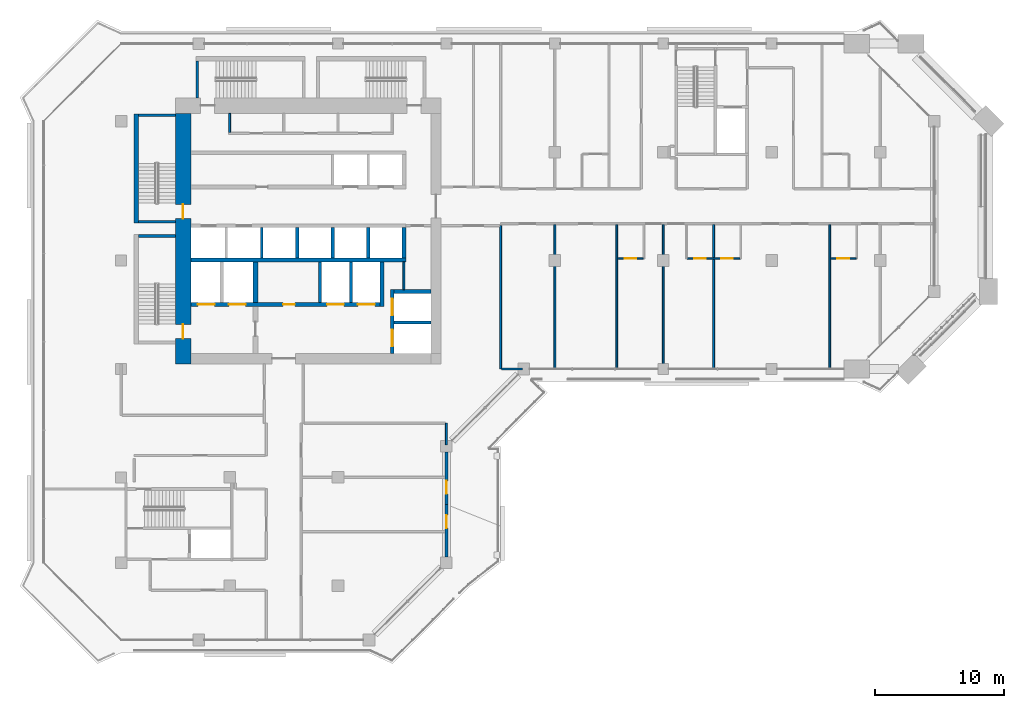
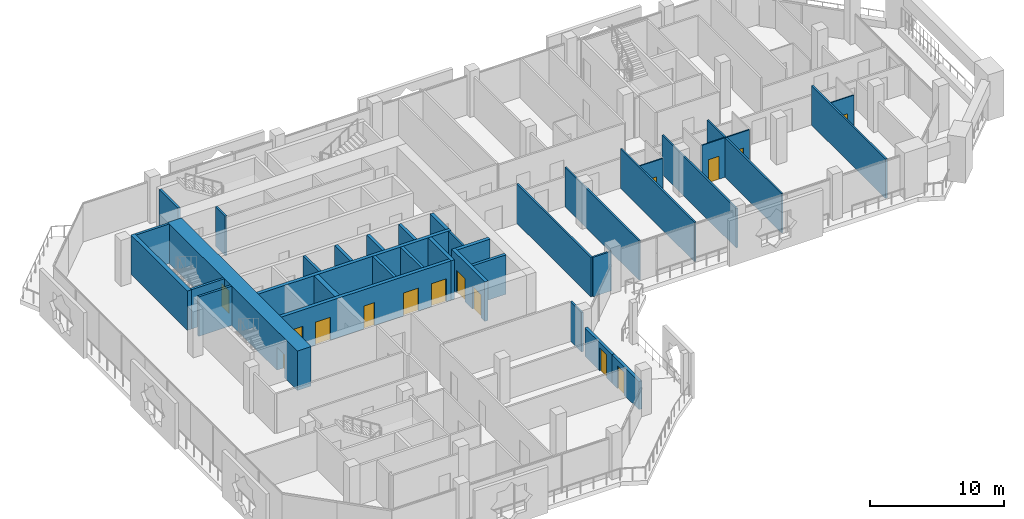
# One storey, part 11 of 21: 35 walls, 15 doors, 15 openings.
"""IFC4 building model written with IfcOpenShell, lengths in metres."""

import ifcopenshell
import ifcopenshell.guid

model = None  # the IFC model being written
_history = None  # IfcOwnerHistory: only IFC2X3 demands one
_inside = {}  # id of a spatial element -> (the spatial element, [elements in it])
_under = {}  # id of a project, library or spatial element -> (it, [spatial elements below it])
_declared = {}  # id of a project -> (the project, [libraries it declares])
_typed = {}  # id of a type object -> (the type object, [elements of that type])
_made_of = {}  # id of a material, layer set ... -> (it, [elements and type objects made of it])


def new_model(schema):
    """Start an empty IFC model of exactly this schema.

    Asked for "IFC4X3", IfcOpenShell would pick the latest addendum, in which some entities
    have other attributes; the version numbers below select the first issue.
    IFC2X3 requires an IfcOwnerHistory on every rooted entity: one is made here for all.
    """
    global model, _history
    if schema == "IFC4X3":
        model = ifcopenshell.file(schema_version=(4, 3, 0, 0))
    else:
        model = ifcopenshell.file(schema=schema)
    _inside.clear()
    _under.clear()
    _declared.clear()
    _typed.clear()
    _made_of.clear()
    _history = None
    if model.schema == "IFC2X3":
        org = make("IfcOrganization", Name="unknown")
        user = make(
            "IfcPersonAndOrganization",
            ThePerson=make("IfcPerson", FamilyName="unknown"),
            TheOrganization=org,
        )
        app = make(
            "IfcApplication",
            ApplicationDeveloper=org,
            Version="unknown",
            ApplicationFullName="unknown",
            ApplicationIdentifier="unknown",
        )
        _history = make(
            "IfcOwnerHistory",
            OwningUser=user,
            OwningApplication=app,
            ChangeAction="ADDED",
            CreationDate=0,
        )
    return model


def make(cls, **values):
    """One entity of the class cls with the attributes given. An attribute that is None is left unset."""
    return model.create_entity(
        cls, **{name: value for name, value in values.items() if value is not None}
    )


def rooted(cls, **values):
    """An entity with a GlobalId (a new one), such as an element, a storey or a relation."""
    return make(cls, GlobalId=ifcopenshell.guid.new(), OwnerHistory=_history, **values)


def si_unit(unit_type, name, prefix=None):
    """IfcSIUnit, for example si_unit("LENGTHUNIT", "METRE", prefix="MILLI")."""
    return make("IfcSIUnit", UnitType=unit_type, Prefix=prefix, Name=name)


def assignment(units):
    """IfcUnitAssignment: the units of a project."""
    return None if units is None else make("IfcUnitAssignment", Units=units)


def point(xyz):
    """IfcCartesianPoint."""
    return None if xyz is None else make("IfcCartesianPoint", Coordinates=xyz)


def direction(xyz):
    """IfcDirection."""
    return None if xyz is None else make("IfcDirection", DirectionRatios=xyz)


def frame(location, z_axis=None, x_axis=None):
    """IfcAxis2Placement3D, a coordinate frame: its origin and axes. An axis left out is left unset."""
    return make(
        "IfcAxis2Placement3D",
        Location=point(location),
        Axis=direction(z_axis),
        RefDirection=direction(x_axis),
    )


def frame_2d(location, x_axis=None):
    """IfcAxis2Placement2D, a coordinate frame in the plane: its origin and x axis."""
    return make(
        "IfcAxis2Placement2D", Location=point(location), RefDirection=direction(x_axis)
    )


def origin():
    """The frame at (0, 0, 0) with its axes left unset."""
    return frame((0.0, 0.0, 0.0))


def place(relative_to, where):
    """IfcLocalPlacement: puts the frame where relative to a parent placement (None: the world)."""
    return make(
        "IfcLocalPlacement", PlacementRelTo=relative_to, RelativePlacement=where
    )


def context(
    kind, dimensions, precision=None, world=None, true_north=None, identifier=None
):
    """IfcGeometricRepresentationContext, for example the 3D "Model" context."""
    return make(
        "IfcGeometricRepresentationContext",
        ContextIdentifier=identifier,
        ContextType=kind,
        CoordinateSpaceDimension=dimensions,
        Precision=precision,
        WorldCoordinateSystem=world,
        TrueNorth=true_north,
    )


def subcontext(parent, identifier, kind, view, scale=None):
    """IfcGeometricRepresentationSubContext, for example "Body" below "Model"."""
    return make(
        "IfcGeometricRepresentationSubContext",
        ContextIdentifier=identifier,
        ContextType=kind,
        ParentContext=parent,
        TargetScale=scale,
        TargetView=view,
    )


def project(units=None, contexts=None):
    """IfcProject with its units and contexts."""
    return rooted(
        "IfcProject",
        Name="project",
        RepresentationContexts=contexts,
        UnitsInContext=assignment(units),
    )


def spatial(cls, under=None, at=None, **own):
    """A site, building, storey or space (cls), placed at a placement, below another one or the project."""
    s = rooted(cls, ObjectPlacement=at, **own)
    if under is not None:
        _under.setdefault(under.id(), (under, []))[1].append(s)
    return s


def profile(cls, at=None, kind="AREA", **sizes):
    """A parametric profile (cls). Its sizes go by their IFC names, for example OverallWidth=200.0."""
    return make(cls, ProfileType=kind, Position=at, **sizes)


def rectangle(**sizes):
    """IfcRectangleProfileDef."""
    return profile("IfcRectangleProfileDef", **sizes)


def extrude(swept, where, along, depth):
    """IfcExtrudedAreaSolid: the profile swept, set in the frame where, extruded along a direction by depth."""
    return make(
        "IfcExtrudedAreaSolid",
        SweptArea=swept,
        Position=where,
        ExtrudedDirection=direction(along),
        Depth=depth,
    )


def shape(context_of_items, identifier, shape_type, items):
    """IfcShapeRepresentation: the items that make up one representation, for example the "Body"."""
    return make(
        "IfcShapeRepresentation",
        ContextOfItems=context_of_items,
        RepresentationIdentifier=identifier,
        RepresentationType=shape_type,
        Items=items,
    )


def material(Name=None, Category=None):
    """IfcMaterial."""
    return make("IfcMaterial", Name=Name, Category=Category)


def layer(
    of_material, thickness, ventilated=None, Name=None, Category=None, Priority=None
):
    """IfcMaterialLayer: one layer of a wall or slab, of a material (None: an air gap)."""
    return make(
        "IfcMaterialLayer",
        Material=of_material,
        LayerThickness=thickness,
        IsVentilated=ventilated,
        Name=Name,
        Category=Category,
        Priority=Priority,
    )


def layer_set(layers, Name=None):
    """IfcMaterialLayerSet."""
    return make("IfcMaterialLayerSet", MaterialLayers=layers, LayerSetName=Name)


def made_of(thing, what):
    """Note that an element or type object is made of a material, layer set ...; save() writes the relation."""
    if what is not None:
        _made_of.setdefault(what.id(), (what, []))[1].append(thing)
    return thing


def type_object(cls, material=None, **own):
    """A type object (cls), such as IfcWallType, which elements share."""
    return made_of(rooted(cls, **own), material)


def element(
    cls,
    number,
    at=None,
    inside=None,
    cuts=None,
    type_object=None,
    material=None,
    context=None,
    identifier="Body",
    shape_type=None,
    held_by="IfcProductDefinitionShape",
    body=None,
    shapes=None,
    **own,
):
    """One element of the class cls, such as IfcWall. Its Tag is "e" and its number.

    at: its placement. inside: the storey or other place that contains it. cuts: it is an
    opening in that element (IfcRelVoidsElement). A single representation is given by context,
    identifier, shape_type and body (its items); several are given by shapes. held_by: the class
    of the entity that holds the representations. save() writes the other relations.
    """
    e = rooted(cls, Tag="e%d" % number, ObjectPlacement=at, **own)
    if body is not None:
        shapes = [shape(context, identifier, shape_type, body)]
    if shapes is not None:
        e.Representation = make(held_by, Representations=shapes)
    if inside is not None:
        _inside.setdefault(inside.id(), (inside, []))[1].append(e)
    if cuts is not None:
        rooted(
            "IfcRelVoidsElement", RelatingBuildingElement=cuts, RelatedOpeningElement=e
        )
    if type_object is not None:
        _typed.setdefault(type_object.id(), (type_object, []))[1].append(e)
    return made_of(e, material)


def fill(opening, filler):
    """IfcRelFillsElement: the door or window that sits in an opening."""
    return rooted(
        "IfcRelFillsElement",
        RelatingOpeningElement=opening,
        RelatedBuildingElement=filler,
    )


def aggregate(whole, parts):
    """IfcRelAggregates: a whole, such as a stair, and the parts it consists of."""
    return rooted("IfcRelAggregates", RelatingObject=whole, RelatedObjects=parts)


def save(model, path):
    """Write the relations noted so far, then the file.

    IfcRelAggregates (storeys below a building ...), IfcRelContainedInSpatialStructure (elements
    in a storey), IfcRelDefinesByType, IfcRelAssociatesMaterial and IfcRelDeclares: one each for
    every whole, place, type object, material and project.
    """
    for whole, parts in _under.values():
        aggregate(whole, parts)
    for where, things in _inside.values():
        rooted(
            "IfcRelContainedInSpatialStructure",
            RelatedElements=things,
            RelatingStructure=where,
        )
    for kind, things in _typed.values():
        rooted("IfcRelDefinesByType", RelatedObjects=things, RelatingType=kind)
    for what, things in _made_of.values():
        rooted("IfcRelAssociatesMaterial", RelatedObjects=things, RelatingMaterial=what)
    for by, libraries in _declared.values():
        rooted("IfcRelDeclares", RelatingContext=by, RelatedDefinitions=libraries)
    model.write(path)


model = new_model("IFC4")

# Units and contexts
model_context = context("Model", 3, precision=1e-05, world=origin(), true_north=direction((0.0, 1.0)))
body_context = subcontext(model_context, "Body", "Model", "MODEL_VIEW")
ifc_project = project(units=[si_unit("LENGTHUNIT", "METRE"), si_unit("AREAUNIT", "SQUARE_METRE"), si_unit("VOLUMEUNIT", "CUBIC_METRE"), si_unit("PLANEANGLEUNIT", "RADIAN"), si_unit("MASSUNIT", "GRAM", prefix="KILO")], contexts=[model_context])

# Site, building, storey
site_placement = place(None, origin())
site = spatial("IfcSite", under=ifc_project, at=site_placement, CompositionType="ELEMENT")
building_placement = place(site_placement, origin())
building = spatial("IfcBuilding", under=site, at=building_placement, Name="Kawkab Arch Medical Tower", CompositionType="ELEMENT")
storey_placement = place(building_placement, frame((0.0, 0.0, 230.60009765625)))
storey = spatial("IfcBuildingStorey", under=building, at=storey_placement, Name="L53", CompositionType="ELEMENT", Elevation=230.60009765625)

# Wall, openings, doors
ifc_material_1 = material(Name="Concrete C50/60", Category="concrete")
ifc_layer_1 = layer(ifc_material_1, 1.199951171875)
ifc_layer_set_1 = layer_set([ifc_layer_1], Name="Concrete C50/60")
wall_type_1 = type_object("IfcWallType", Name="Core ring wall 1200 C50/60", PredefinedType="SHEAR", material=ifc_layer_set_1)
wall_1_placement = place(storey_placement, frame((4.800048828125, -24.800048828125, 0.0), z_axis=(0.0, 0.0, 1.0), x_axis=(0.0, 1.0, 0.0)))
wall_1 = element("IfcWall", 1, at=wall_1_placement, inside=storey, type_object=wall_type_1, Name="L53 core wall", PredefinedType="SHEAR", context=body_context, shape_type="SweptSolid", body=[
    extrude(rectangle(XDim=19.400146484375, YDim=1.199951171875, at=frame_2d((9.7001953125, 0.0))), origin(), (0.0, 0.0, 1.0), 3.599853515625),
])
opening_1_placement = place(wall_1_placement, frame((11.25, 0.0, 0.0)))
opening_1 = element("IfcOpeningElement", 2, at=opening_1_placement, cuts=wall_1, Name="Opening SD", PredefinedType="OPENING", context=body_context, shape_type="SweptSolid", body=[
    extrude(rectangle(XDim=1.10009765625, YDim=2.10009765625, at=frame_2d((0.550048828125, 1.050048828125))), frame((0.0, 0.60986328125, 0.0), z_axis=(0.0, -1.0, 0.0), x_axis=(1.0, 0.0, 0.0)), (0.0, 0.0, 1.0), 1.219970703125),
])
opening_2_placement = place(wall_1_placement, frame((1.949951171875, 0.0, 0.0)))
opening_2 = element("IfcOpeningElement", 3, at=opening_2_placement, cuts=wall_1, Name="Opening SD", PredefinedType="OPENING", context=body_context, shape_type="SweptSolid", body=[
    extrude(rectangle(XDim=1.10009765625, YDim=2.10009765625, at=frame_2d((0.550048828125, 1.050048828125))), frame((0.0, 0.60986328125, 0.0), z_axis=(0.0, -1.0, 0.0), x_axis=(1.0, 0.0, 0.0)), (0.0, 0.0, 1.0), 1.219970703125),
])
ifc_material_2 = material(Name="Hollow metal fire door leaf")
door_type_1 = type_object("IfcDoorType", Name="Exit stair door 1100", OperationType="SINGLE_SWING_LEFT", PredefinedType="DOOR", material=ifc_material_2)
door_1_placement = place(opening_1_placement, origin())
door_1 = element("IfcDoor", 4, at=door_1_placement, inside=storey, type_object=door_type_1, Name="L53 Exit stair ST1 door", OperationType="SINGLE_SWING_LEFT", OverallHeight=2.10009765625, OverallWidth=1.10009765625, PredefinedType="DOOR", context=body_context, shape_type="SweptSolid", body=[
    extrude(rectangle(XDim=1.10009765625, YDim=2.10009765625, at=frame_2d((0.550048828125, 1.050048828125))), frame((0.0, 0.02490234375, 0.0), z_axis=(0.0, -1.0, 0.0), x_axis=(1.0, 0.0, 0.0)), (0.0, 0.0, 1.0), 0.050048828125),
])
fill(opening_1, door_1)
door_2_placement = place(opening_2_placement, origin())
door_2 = element("IfcDoor", 5, at=door_2_placement, inside=storey, type_object=door_type_1, Name="L53 Exit stair ST2 door", OperationType="SINGLE_SWING_LEFT", OverallHeight=2.10009765625, OverallWidth=1.10009765625, PredefinedType="DOOR", context=body_context, shape_type="SweptSolid", body=[
    extrude(rectangle(XDim=1.10009765625, YDim=2.10009765625, at=frame_2d((0.550048828125, 1.050048828125))), frame((0.0, 0.02490234375, 0.0), z_axis=(0.0, -1.0, 0.0), x_axis=(1.0, 0.0, 0.0)), (0.0, 0.0, 1.0), 0.050048828125),
])
fill(opening_2, door_2)

# Walls
ifc_material_3 = material(Name="Gypsum board on steel studs", Category="steel")
ifc_layer_2 = layer(ifc_material_3, 0.14990234375)
ifc_layer_set_2 = layer_set([ifc_layer_2], Name="Gypsum board on steel studs")
wall_type_2 = type_object("IfcWallType", Name="Core room partition 150", PredefinedType="PARTITIONING", material=ifc_layer_set_2)
wall_2_placement = place(storey_placement, frame((21.89990234375, -19.050048828125, 0.0), z_axis=(0.0, 0.0, 1.0), x_axis=(0.0, 1.0, 0.0)))
element("IfcWall", 6, at=wall_2_placement, inside=storey, type_object=wall_type_2, Name="L53 core room partition", PredefinedType="PARTITIONING", context=body_context, shape_type="SweptSolid", body=[
    extrude(rectangle(XDim=2.150146484375, YDim=0.14990234375, at=frame_2d((1.0751953125, 0.0))), origin(), (0.0, 0.0, 1.0), 3.599853515625),
])
wall_3_placement = place(storey_placement, frame((8.39990234375, -6.875, 0.0), z_axis=(0.0, 0.0, 1.0), x_axis=(0.0, 1.0, 0.0)))
element("IfcWall", 7, at=wall_3_placement, inside=storey, type_object=wall_type_2, Name="L53 core room partition", PredefinedType="PARTITIONING", context=body_context, shape_type="SweptSolid", body=[
    extrude(rectangle(XDim=1.47509765625, YDim=0.14990234375, at=frame_2d((0.737548828125, 0.0))), origin(), (0.0, 0.0, 1.0), 3.599853515625),
])
ifc_material_4 = material(Name="Concrete C60/75", Category="concrete")
ifc_layer_3 = layer(ifc_material_4, 0.25)
ifc_layer_set_3 = layer_set([ifc_layer_3], Name="Concrete C60/75")
wall_type_3 = type_object("IfcWallType", Name="Core shear wall 250 C60/75", PredefinedType="SHEAR", material=ifc_layer_set_3)
wall_4_placement = place(storey_placement, frame((21.14990234375, -21.60009765625, 0.0), z_axis=(0.0, 0.0, 1.0), x_axis=(1.0, 0.0, 0.0)))
element("IfcWall", 8, at=wall_4_placement, inside=storey, type_object=wall_type_3, Name="L53 core shear wall", PredefinedType="SHEAR", context=body_context, shape_type="SweptSolid", body=[
    extrude(rectangle(XDim=2.85009765625, YDim=0.25, at=frame_2d((1.425048828125, 0.0))), origin(), (0.0, 0.0, 1.0), 3.599853515625),
])
for number, where, z_axis, x_axis, name in (
    (9, (15.39990234375, -20.050048828125, 0.0), (0.0, 0.0, 1.0), (0.0, 1.0, 0.0), "L53 core shear wall"),
    (10, (17.800048828125, -20.050048828125, 0.0), (0.0, 0.0, 1.0), (0.0, 1.0, 0.0), "L53 core shear wall"),
):
    element("IfcWall", number, at=place(storey_placement, frame(where, z_axis=z_axis, x_axis=x_axis)), inside=storey, type_object=wall_type_3, Name=name, PredefinedType="SHEAR", context=body_context, shape_type="SweptSolid", body=[
        extrude(rectangle(XDim=3.150146484375, YDim=0.25, at=frame_2d((1.5751953125, 0.0))), origin(), (0.0, 0.0, 1.0), 3.599853515625),
    ])
for number, where, z_axis, x_axis, name in (
    (11, (13.64990234375, -16.60009765625, 0.0), (0.0, 0.0, 1.0), (0.0, 1.0, 0.0), "L53 core shear wall"),
    (12, (16.39990234375, -16.60009765625, 0.0), (0.0, 0.0, 1.0), (0.0, 1.0, 0.0), "L53 core shear wall"),
    (13, (19.14990234375, -16.60009765625, 0.0), (0.0, 0.0, 1.0), (0.0, 1.0, 0.0), "L53 core shear wall"),
):
    element("IfcWall", number, at=place(storey_placement, frame(where, z_axis=z_axis, x_axis=x_axis)), inside=storey, type_object=wall_type_3, Name=name, PredefinedType="SHEAR", context=body_context, shape_type="SweptSolid", body=[
        extrude(rectangle(XDim=2.35009765625, YDim=0.25, at=frame_2d((1.175048828125, 0.0))), origin(), (0.0, 0.0, 1.0), 3.599853515625),
    ])
ifc_material_5 = material(Name="Concrete C60/75", Category="concrete")
ifc_layer_4 = layer(ifc_material_5, 0.300048828125)
ifc_layer_set_4 = layer_set([ifc_layer_4], Name="Concrete C60/75")
wall_type_4 = type_object("IfcWallType", Name="Core shear wall 300 C60/75", PredefinedType="SHEAR", material=ifc_layer_set_4)
wall_5_placement = place(storey_placement, frame((5.39990234375, -16.75, 0.0), z_axis=(0.0, 0.0, 1.0), x_axis=(1.0, 0.0, 0.0)))
element("IfcWall", 14, at=wall_5_placement, inside=storey, type_object=wall_type_4, Name="L53 core shear wall", PredefinedType="SHEAR", context=body_context, shape_type="SweptSolid", body=[
    extrude(rectangle(XDim=16.650146484375, YDim=0.300048828125, at=frame_2d((8.3251953125, 0.0))), origin(), (0.0, 0.0, 1.0), 3.599853515625),
])

# Wall, openings, doors
wall_6_placement = place(storey_placement, frame((5.39990234375, -20.199951171875, 0.0), z_axis=(0.0, 0.0, 1.0), x_axis=(1.0, 0.0, 0.0)))
wall_6 = element("IfcWall", 15, at=wall_6_placement, inside=storey, type_object=wall_type_4, Name="L53 core shear wall", PredefinedType="SHEAR", context=body_context, shape_type="SweptSolid", body=[
    extrude(rectangle(XDim=14.650146484375, YDim=0.300048828125, at=frame_2d((7.3251953125, 0.0))), origin(), (0.0, 0.0, 1.0), 3.599853515625),
])
opening_3_placement = place(wall_6_placement, frame((10.550048828125, 0.0, 0.0)))
opening_3 = element("IfcOpeningElement", 16, at=opening_3_placement, cuts=wall_6, Name="Opening LD2", PredefinedType="OPENING", context=body_context, shape_type="SweptSolid", body=[
    extrude(rectangle(XDim=1.300048828125, YDim=2.10009765625, at=frame_2d((0.64990234375, 1.050048828125))), frame((0.0, 0.159912109375, 0.0), z_axis=(0.0, -1.0, 0.0), x_axis=(1.0, 0.0, 0.0)), (0.0, 0.0, 1.0), 0.320068359375),
])
opening_4_placement = place(wall_6_placement, frame((12.949951171875, 0.0, 0.0)))
opening_4 = element("IfcOpeningElement", 17, at=opening_4_placement, cuts=wall_6, Name="Opening LD2", PredefinedType="OPENING", context=body_context, shape_type="SweptSolid", body=[
    extrude(rectangle(XDim=1.300048828125, YDim=2.10009765625, at=frame_2d((0.64990234375, 1.050048828125))), frame((0.0, 0.159912109375, 0.0), z_axis=(0.0, -1.0, 0.0), x_axis=(1.0, 0.0, 0.0)), (0.0, 0.0, 1.0), 0.320068359375),
])
opening_5_placement = place(wall_6_placement, frame((0.550048828125, 0.0, 0.0)))
opening_5 = element("IfcOpeningElement", 18, at=opening_5_placement, cuts=wall_6, Name="Opening LD2", PredefinedType="OPENING", context=body_context, shape_type="SweptSolid", body=[
    extrude(rectangle(XDim=1.300048828125, YDim=2.10009765625, at=frame_2d((0.64990234375, 1.050048828125))), frame((0.0, 0.159912109375, 0.0), z_axis=(0.0, -1.0, 0.0), x_axis=(1.0, 0.0, 0.0)), (0.0, 0.0, 1.0), 0.320068359375),
])
opening_6_placement = place(wall_6_placement, frame((2.949951171875, 0.0, 0.0)))
opening_6 = element("IfcOpeningElement", 19, at=opening_6_placement, cuts=wall_6, Name="Opening LD2", PredefinedType="OPENING", context=body_context, shape_type="SweptSolid", body=[
    extrude(rectangle(XDim=1.300048828125, YDim=2.10009765625, at=frame_2d((0.64990234375, 1.050048828125))), frame((0.0, 0.159912109375, 0.0), z_axis=(0.0, -1.0, 0.0), x_axis=(1.0, 0.0, 0.0)), (0.0, 0.0, 1.0), 0.320068359375),
])
opening_7_placement = place(wall_6_placement, frame((7.14990234375, 0.0, 0.0)))
opening_7 = element("IfcOpeningElement", 20, at=opening_7_placement, cuts=wall_6, Name="Opening RD", PredefinedType="OPENING", context=body_context, shape_type="SweptSolid", body=[
    extrude(rectangle(XDim=0.89990234375, YDim=2.10009765625, at=frame_2d((0.449951171875, 1.050048828125))), frame((0.0, 0.159912109375, 0.0), z_axis=(0.0, -1.0, 0.0), x_axis=(1.0, 0.0, 0.0)), (0.0, 0.0, 1.0), 0.320068359375),
])
ifc_material_6 = material(Name="Hollow metal fire door leaf")
door_type_2 = type_object("IfcDoorType", Name="Core room door 900", OperationType="SINGLE_SWING_LEFT", PredefinedType="DOOR", material=ifc_material_6)
door_3_placement = place(opening_7_placement, origin())
door_3 = element("IfcDoor", 21, at=door_3_placement, inside=storey, type_object=door_type_2, Name="L53 Equipment store door", OperationType="SINGLE_SWING_LEFT", OverallHeight=2.10009765625, OverallWidth=0.89990234375, PredefinedType="DOOR", context=body_context, shape_type="SweptSolid", body=[
    extrude(rectangle(XDim=0.89990234375, YDim=2.10009765625, at=frame_2d((0.449951171875, 1.050048828125))), frame((0.0, 0.02490234375, 0.0), z_axis=(0.0, -1.0, 0.0), x_axis=(1.0, 0.0, 0.0)), (0.0, 0.0, 1.0), 0.050048828125),
])
fill(opening_7, door_3)
ifc_material_7 = material(Name="Stainless steel lift door leaf", Category="steel")
door_type_3 = type_object("IfcDoorType", Name="Lift landing door 1300", OperationType="DOUBLE_DOOR_SLIDING", PredefinedType="DOOR", material=ifc_material_7)
door_4_placement = place(opening_3_placement, origin())
door_4 = element("IfcDoor", 22, at=door_4_placement, inside=storey, type_object=door_type_3, Name="L53 Lift landing door BD3", OperationType="DOUBLE_DOOR_SLIDING", OverallHeight=2.10009765625, OverallWidth=1.300048828125, PredefinedType="DOOR", context=body_context, shape_type="SweptSolid", body=[
    extrude(rectangle(XDim=1.300048828125, YDim=2.10009765625, at=frame_2d((0.64990234375, 1.050048828125))), frame((0.0, 0.02490234375, 0.0), z_axis=(0.0, -1.0, 0.0), x_axis=(1.0, 0.0, 0.0)), (0.0, 0.0, 1.0), 0.050048828125),
])
fill(opening_3, door_4)
door_5_placement = place(opening_4_placement, origin())
door_5 = element("IfcDoor", 23, at=door_5_placement, inside=storey, type_object=door_type_3, Name="L53 Lift landing door BD4", OperationType="DOUBLE_DOOR_SLIDING", OverallHeight=2.10009765625, OverallWidth=1.300048828125, PredefinedType="DOOR", context=body_context, shape_type="SweptSolid", body=[
    extrude(rectangle(XDim=1.300048828125, YDim=2.10009765625, at=frame_2d((0.64990234375, 1.050048828125))), frame((0.0, 0.02490234375, 0.0), z_axis=(0.0, -1.0, 0.0), x_axis=(1.0, 0.0, 0.0)), (0.0, 0.0, 1.0), 0.050048828125),
])
fill(opening_4, door_5)
door_6_placement = place(opening_5_placement, origin())
door_6 = element("IfcDoor", 24, at=door_6_placement, inside=storey, type_object=door_type_3, Name="L53 Lift landing door FL1", OperationType="DOUBLE_DOOR_SLIDING", OverallHeight=2.10009765625, OverallWidth=1.300048828125, PredefinedType="DOOR", context=body_context, shape_type="SweptSolid", body=[
    extrude(rectangle(XDim=1.300048828125, YDim=2.10009765625, at=frame_2d((0.64990234375, 1.050048828125))), frame((0.0, 0.02490234375, 0.0), z_axis=(0.0, -1.0, 0.0), x_axis=(1.0, 0.0, 0.0)), (0.0, 0.0, 1.0), 0.050048828125),
])
fill(opening_5, door_6)
door_7_placement = place(opening_6_placement, origin())
door_7 = element("IfcDoor", 25, at=door_7_placement, inside=storey, type_object=door_type_3, Name="L53 Lift landing door FL2", OperationType="DOUBLE_DOOR_SLIDING", OverallHeight=2.10009765625, OverallWidth=1.300048828125, PredefinedType="DOOR", context=body_context, shape_type="SweptSolid", body=[
    extrude(rectangle(XDim=1.300048828125, YDim=2.10009765625, at=frame_2d((0.64990234375, 1.050048828125))), frame((0.0, 0.02490234375, 0.0), z_axis=(0.0, -1.0, 0.0), x_axis=(1.0, 0.0, 0.0)), (0.0, 0.0, 1.0), 0.050048828125),
])
fill(opening_6, door_7)

# Walls
wall_7_placement = place(storey_placement, frame((20.199951171875, -20.35009765625, 0.0), z_axis=(0.0, 0.0, 1.0), x_axis=(0.0, 1.0, 0.0)))
element("IfcWall", 26, at=wall_7_placement, inside=storey, type_object=wall_type_4, Name="L53 core shear wall", PredefinedType="SHEAR", context=body_context, shape_type="SweptSolid", body=[
    extrude(rectangle(XDim=3.4501953125, YDim=0.300048828125, at=frame_2d((1.72509765625, 0.0))), origin(), (0.0, 0.0, 1.0), 3.599853515625),
])
wall_8_placement = place(storey_placement, frame((21.89990234375, -16.60009765625, 0.0), z_axis=(0.0, 0.0, 1.0), x_axis=(0.0, 1.0, 0.0)))
element("IfcWall", 27, at=wall_8_placement, inside=storey, type_object=wall_type_4, Name="L53 core shear wall", PredefinedType="SHEAR", context=body_context, shape_type="SweptSolid", body=[
    extrude(rectangle(XDim=2.35009765625, YDim=0.300048828125, at=frame_2d((1.175048828125, 0.0))), origin(), (0.0, 0.0, 1.0), 3.599853515625),
])
wall_9_placement = place(storey_placement, frame((21.14990234375, -19.199951171875, 0.0), z_axis=(0.0, 0.0, 1.0), x_axis=(1.0, 0.0, 0.0)))
element("IfcWall", 28, at=wall_9_placement, inside=storey, type_object=wall_type_4, Name="L53 core shear wall", PredefinedType="SHEAR", context=body_context, shape_type="SweptSolid", body=[
    extrude(rectangle(XDim=2.85009765625, YDim=0.300048828125, at=frame_2d((1.425048828125, 0.0))), origin(), (0.0, 0.0, 1.0), 3.599853515625),
])

# Wall, openings, doors
wall_10_placement = place(storey_placement, frame((21.0, -24.0, 0.0), z_axis=(0.0, 0.0, 1.0), x_axis=(0.0, 1.0, 0.0)))
wall_10 = element("IfcWall", 29, at=wall_10_placement, inside=storey, type_object=wall_type_4, Name="L53 core shear wall", PredefinedType="SHEAR", context=body_context, shape_type="SweptSolid", body=[
    extrude(rectangle(XDim=4.949951171875, YDim=0.300048828125, at=frame_2d((2.47509765625, 0.0))), origin(), (0.0, 0.0, 1.0), 3.599853515625),
])
opening_8_placement = place(wall_10_placement, frame((2.949951171875, 0.0, 0.0)))
opening_8 = element("IfcOpeningElement", 30, at=opening_8_placement, cuts=wall_10, Name="Opening LD2", PredefinedType="OPENING", context=body_context, shape_type="SweptSolid", body=[
    extrude(rectangle(XDim=1.300048828125, YDim=2.10009765625, at=frame_2d((0.64990234375, 1.050048828125))), frame((0.0, 0.159912109375, 0.0), z_axis=(0.0, -1.0, 0.0), x_axis=(1.0, 0.0, 0.0)), (0.0, 0.0, 1.0), 0.320068359375),
])
opening_9_placement = place(wall_10_placement, frame((0.550048828125, 0.0, 0.0)))
opening_9 = element("IfcOpeningElement", 31, at=opening_9_placement, cuts=wall_10, Name="Opening LD2", PredefinedType="OPENING", context=body_context, shape_type="SweptSolid", body=[
    extrude(rectangle(XDim=1.300048828125, YDim=2.10009765625, at=frame_2d((0.64990234375, 1.050048828125))), frame((0.0, 0.159912109375, 0.0), z_axis=(0.0, -1.0, 0.0), x_axis=(1.0, 0.0, 0.0)), (0.0, 0.0, 1.0), 0.320068359375),
])
door_8_placement = place(opening_8_placement, origin())
door_8 = element("IfcDoor", 32, at=door_8_placement, inside=storey, type_object=door_type_3, Name="L53 Lift landing door BD1", OperationType="DOUBLE_DOOR_SLIDING", OverallHeight=2.10009765625, OverallWidth=1.300048828125, PredefinedType="DOOR", context=body_context, shape_type="SweptSolid", body=[
    extrude(rectangle(XDim=1.300048828125, YDim=2.10009765625, at=frame_2d((0.64990234375, 1.050048828125))), frame((0.0, 0.02490234375, 0.0), z_axis=(0.0, -1.0, 0.0), x_axis=(1.0, 0.0, 0.0)), (0.0, 0.0, 1.0), 0.050048828125),
])
fill(opening_8, door_8)
door_9_placement = place(opening_9_placement, origin())
door_9 = element("IfcDoor", 33, at=door_9_placement, inside=storey, type_object=door_type_3, Name="L53 Lift landing door BD2", OperationType="DOUBLE_DOOR_SLIDING", OverallHeight=2.10009765625, OverallWidth=1.300048828125, PredefinedType="DOOR", context=body_context, shape_type="SweptSolid", body=[
    extrude(rectangle(XDim=1.300048828125, YDim=2.10009765625, at=frame_2d((0.64990234375, 1.050048828125))), frame((0.0, 0.02490234375, 0.0), z_axis=(0.0, -1.0, 0.0), x_axis=(1.0, 0.0, 0.0)), (0.0, 0.0, 1.0), 0.050048828125),
])
fill(opening_9, door_9)

# Wall
ifc_material_8 = material(Name="Concrete C60/75", Category="concrete")
ifc_layer_5 = layer(ifc_material_8, 0.39990234375)
ifc_layer_set_5 = layer_set([ifc_layer_5], Name="Concrete C60/75")
wall_type_5 = type_object("IfcWallType", Name="Core shear wall 400 C60/75", PredefinedType="SHEAR", material=ifc_layer_set_5)
wall_11_placement = place(storey_placement, frame((10.39990234375, -20.050048828125, 0.0), z_axis=(0.0, 0.0, 1.0), x_axis=(0.0, 1.0, 0.0)))
element("IfcWall", 34, at=wall_11_placement, inside=storey, type_object=wall_type_5, Name="L53 core shear wall", PredefinedType="SHEAR", context=body_context, shape_type="SweptSolid", body=[
    extrude(rectangle(XDim=3.150146484375, YDim=0.39990234375, at=frame_2d((1.5751953125, 0.0))), origin(), (0.0, 0.0, 1.0), 3.599853515625),
])

# Wall, opening, door
ifc_material_9 = material(Name="Bronze clad insulated wall panel")
ifc_layer_6 = layer(ifc_material_9, 0.25)
ifc_layer_set_6 = layer_set([ifc_layer_6], Name="Bronze clad insulated wall panel")
wall_type_6 = type_object("IfcWallType", Name="External wall bay 250", PredefinedType="SOLIDWALL", material=ifc_layer_set_6)
wall_12_placement = place(storey_placement, frame((25.199951171875, -39.75, 0.0), z_axis=(0.0, 0.0, 1.0), x_axis=(0.0, 1.0, 0.0)))
wall_12 = element("IfcWall", 35, at=wall_12_placement, inside=storey, type_object=wall_type_6, Name="External wall bay L53.R05.1.1", PredefinedType="SOLIDWALL", context=body_context, shape_type="SweptSolid", body=[
    extrude(rectangle(XDim=4.050048828125, YDim=0.25, at=frame_2d((2.02490234375, 0.0))), origin(), (0.0, 0.0, 1.0), 2.579833984375),
])
opening_10_placement = place(wall_12_placement, frame((2.22509765625, 0.0, 0.0)))
opening_10 = element("IfcOpeningElement", 36, at=opening_10_placement, cuts=wall_12, Name="Opening W53-701", PredefinedType="OPENING", context=body_context, shape_type="SweptSolid", body=[
    extrude(rectangle(XDim=1.0, YDim=2.10009765625, at=frame_2d((0.5, 1.050048828125))), frame((0.0, 0.135009765625, 0.0), z_axis=(0.0, -1.0, 0.0), x_axis=(1.0, 0.0, 0.0)), (0.0, 0.0, 1.0), 0.27001953125),
])
ifc_material_10 = material(Name="Bronze anodised aluminium door with tinted glass", Category="aluminium")
door_type_4 = type_object("IfcDoorType", Name="Single external door 1000 x 2100", OperationType="SINGLE_SWING_LEFT", PredefinedType="DOOR", material=ifc_material_10)
door_10_placement = place(opening_10_placement, origin())
door_10 = element("IfcDoor", 37, at=door_10_placement, inside=storey, type_object=door_type_4, Name="External door L53.R05.1.1", OperationType="SINGLE_SWING_LEFT", OverallHeight=2.10009765625, OverallWidth=1.0, PredefinedType="DOOR", context=body_context, shape_type="SweptSolid", body=[
    extrude(rectangle(XDim=1.0, YDim=2.10009765625, at=frame_2d((0.5, 1.050048828125))), frame((0.0, 0.02490234375, 0.0), z_axis=(0.0, -1.0, 0.0), x_axis=(1.0, 0.0, 0.0)), (0.0, 0.0, 1.0), 0.050048828125),
])
fill(opening_10, door_10)

wall_13_placement = place(storey_placement, frame((25.199951171875, -35.699951171875, 0.0), z_axis=(0.0, 0.0, 1.0), x_axis=(0.0, 1.0, 0.0)))
wall_13 = element("IfcWall", 38, at=wall_13_placement, inside=storey, type_object=wall_type_6, Name="External wall bay L53.R05.1.2", PredefinedType="SOLIDWALL", context=body_context, shape_type="SweptSolid", body=[
    extrude(rectangle(XDim=4.050048828125, YDim=0.25, at=frame_2d((2.02490234375, 0.0))), origin(), (0.0, 0.0, 1.0), 2.579833984375),
])
opening_11_placement = place(wall_13_placement, frame((0.824951171875, 0.0, 0.0)))
opening_11 = element("IfcOpeningElement", 39, at=opening_11_placement, cuts=wall_13, Name="Opening W53-701", PredefinedType="OPENING", context=body_context, shape_type="SweptSolid", body=[
    extrude(rectangle(XDim=1.0, YDim=2.10009765625, at=frame_2d((0.5, 1.050048828125))), frame((0.0, 0.135009765625, 0.0), z_axis=(0.0, -1.0, 0.0), x_axis=(1.0, 0.0, 0.0)), (0.0, 0.0, 1.0), 0.27001953125),
])
door_11_placement = place(opening_11_placement, origin())
door_11 = element("IfcDoor", 40, at=door_11_placement, inside=storey, type_object=door_type_4, Name="External door L53.R05.1.2", OperationType="SINGLE_SWING_LEFT", OverallHeight=2.10009765625, OverallWidth=1.0, PredefinedType="DOOR", context=body_context, shape_type="SweptSolid", body=[
    extrude(rectangle(XDim=1.0, YDim=2.10009765625, at=frame_2d((0.5, 1.050048828125))), frame((0.0, 0.02490234375, 0.0), z_axis=(0.0, -1.0, 0.0), x_axis=(1.0, 0.0, 0.0)), (0.0, 0.0, 1.0), 0.050048828125),
])
fill(opening_11, door_11)

# Wall
ifc_material_11 = material(Name="Dense concrete blockwork", Category="masonry")
ifc_layer_7 = layer(ifc_material_11, 0.199951171875)
ifc_layer_set_7 = layer_set([ifc_layer_7], Name="Dense concrete blockwork")
wall_type_7 = type_object("IfcWallType", Name="Lift shaft partition 200", PredefinedType="PARTITIONING", material=ifc_layer_set_7)
wall_14_placement = place(storey_placement, frame((10.89990234375, -16.60009765625, 0.0), z_axis=(0.0, 0.0, 1.0), x_axis=(0.0, 1.0, 0.0)))
element("IfcWall", 41, at=wall_14_placement, inside=storey, type_object=wall_type_7, Name="L53 lift shaft partition", PredefinedType="PARTITIONING", context=body_context, shape_type="SweptSolid", body=[
    extrude(rectangle(XDim=2.35009765625, YDim=0.199951171875, at=frame_2d((1.175048828125, 0.0))), origin(), (0.0, 0.0, 1.0), 3.599853515625),
])

# Wall, opening, door
ifc_material_12 = material(Name="Gypsum board partition on steel studs", Category="steel")
ifc_layer_8 = layer(ifc_material_12, 0.10009765625)
ifc_layer_set_8 = layer_set([ifc_layer_8], Name="Gypsum board partition on steel studs")
wall_type_8 = type_object("IfcWallType", Name="Partition 100", PredefinedType="PARTITIONING", material=ifc_layer_set_8)
wall_15_placement = place(storey_placement, frame((38.47509765625, -16.64990234375, 0.0), z_axis=(0.0, 0.0, 1.0), x_axis=(1.0, 0.0, 0.0)))
wall_15 = element("IfcWall", 42, at=wall_15_placement, inside=storey, type_object=wall_type_8, Name="Partition 100 w001", PredefinedType="PARTITIONING", context=body_context, shape_type="SweptSolid", body=[
    extrude(rectangle(XDim=1.974853515625, YDim=0.10009765625, at=frame_2d((0.9873046875, 0.0))), origin(), (0.0, 0.0, 1.0), 3.599853515625),
])
opening_12_placement = place(wall_15_placement, frame((0.52490234375, 0.0, 0.0)))
opening_12 = element("IfcOpeningElement", 43, at=opening_12_placement, cuts=wall_15, Name="Opening W53-005", PredefinedType="OPENING", context=body_context, shape_type="SweptSolid", body=[
    extrude(rectangle(XDim=0.89990234375, YDim=2.10009765625, at=frame_2d((0.449951171875, 1.050048828125))), frame((0.0, 0.06005859375, 0.0), z_axis=(0.0, -1.0, 0.0), x_axis=(1.0, 0.0, 0.0)), (0.0, 0.0, 1.0), 0.1201171875),
])
ifc_material_13 = material(Name="Timber door leaf", Category="wood")
door_type_5 = type_object("IfcDoorType", Name="Single door 900x2100", OperationType="NOTDEFINED", PredefinedType="DOOR", material=ifc_material_13)
door_12_placement = place(opening_12_placement, origin())
door_12 = element("IfcDoor", 44, at=door_12_placement, inside=storey, type_object=door_type_5, Name="Door W53-005", OperationType="SINGLE_SWING_RIGHT", OverallHeight=2.10009765625, OverallWidth=0.89990234375, PredefinedType="DOOR", context=body_context, shape_type="SweptSolid", body=[
    extrude(rectangle(XDim=0.89990234375, YDim=2.10009765625, at=frame_2d((0.449951171875, 1.050048828125))), frame((0.0, 0.02490234375, 0.0), z_axis=(0.0, -1.0, 0.0), x_axis=(1.0, 0.0, 0.0)), (0.0, 0.0, 1.0), 0.050048828125),
])
fill(opening_12, door_12)

# Wall, openings, doors
wall_16_placement = place(storey_placement, frame((43.85009765625, -16.64990234375, 0.0), z_axis=(0.0, 0.0, 1.0), x_axis=(1.0, 0.0, 0.0)))
wall_16 = element("IfcWall", 45, at=wall_16_placement, inside=storey, type_object=wall_type_8, Name="Partition 100 w002", PredefinedType="PARTITIONING", context=body_context, shape_type="SweptSolid", body=[
    extrude(rectangle(XDim=4.099853515625, YDim=0.10009765625, at=frame_2d((2.0498046875, 0.0))), origin(), (0.0, 0.0, 1.0), 3.599853515625),
])
opening_13_placement = place(wall_16_placement, frame((0.550048828125, 0.0, 0.0)))
opening_13 = element("IfcOpeningElement", 46, at=opening_13_placement, cuts=wall_16, Name="Opening W53-006", PredefinedType="OPENING", context=body_context, shape_type="SweptSolid", body=[
    extrude(rectangle(XDim=0.89990234375, YDim=2.10009765625, at=frame_2d((0.449951171875, 1.050048828125))), frame((0.0, 0.06005859375, 0.0), z_axis=(0.0, -1.0, 0.0), x_axis=(1.0, 0.0, 0.0)), (0.0, 0.0, 1.0), 0.1201171875),
])
opening_14_placement = place(wall_16_placement, frame((2.64990234375, 0.0, 0.0)))
opening_14 = element("IfcOpeningElement", 47, at=opening_14_placement, cuts=wall_16, Name="Opening W53-007", PredefinedType="OPENING", context=body_context, shape_type="SweptSolid", body=[
    extrude(rectangle(XDim=0.89990234375, YDim=2.10009765625, at=frame_2d((0.449951171875, 1.050048828125))), frame((0.0, 0.06005859375, 0.0), z_axis=(0.0, -1.0, 0.0), x_axis=(1.0, 0.0, 0.0)), (0.0, 0.0, 1.0), 0.1201171875),
])
door_13_placement = place(opening_13_placement, origin())
door_13 = element("IfcDoor", 48, at=door_13_placement, inside=storey, type_object=door_type_5, Name="Door W53-006", OperationType="SINGLE_SWING_RIGHT", OverallHeight=2.10009765625, OverallWidth=0.89990234375, PredefinedType="DOOR", context=body_context, shape_type="SweptSolid", body=[
    extrude(rectangle(XDim=0.89990234375, YDim=2.10009765625, at=frame_2d((0.449951171875, 1.050048828125))), frame((0.0, 0.02490234375, 0.0), z_axis=(0.0, -1.0, 0.0), x_axis=(1.0, 0.0, 0.0)), (0.0, 0.0, 1.0), 0.050048828125),
])
fill(opening_13, door_13)
door_14_placement = place(opening_14_placement, origin())
door_14 = element("IfcDoor", 49, at=door_14_placement, inside=storey, type_object=door_type_5, Name="Door W53-007", OperationType="SINGLE_SWING_LEFT", OverallHeight=2.10009765625, OverallWidth=0.89990234375, PredefinedType="DOOR", context=body_context, shape_type="SweptSolid", body=[
    extrude(rectangle(XDim=0.89990234375, YDim=2.10009765625, at=frame_2d((0.449951171875, 1.050048828125))), frame((0.0, 0.02490234375, 0.0), z_axis=(0.0, -1.0, 0.0), x_axis=(1.0, 0.0, 0.0)), (0.0, 0.0, 1.0), 0.050048828125),
])
fill(opening_14, door_14)

# Wall, opening, door
wall_17_placement = place(storey_placement, frame((54.97509765625, -16.64990234375, 0.0), z_axis=(0.0, 0.0, 1.0), x_axis=(1.0, 0.0, 0.0)))
wall_17 = element("IfcWall", 50, at=wall_17_placement, inside=storey, type_object=wall_type_8, Name="Partition 100 w003", PredefinedType="PARTITIONING", context=body_context, shape_type="SweptSolid", body=[
    extrude(rectangle(XDim=1.974853515625, YDim=0.10009765625, at=frame_2d((0.9873046875, 0.0))), origin(), (0.0, 0.0, 1.0), 3.599853515625),
])
opening_15_placement = place(wall_17_placement, frame((0.52490234375, 0.0, 0.0)))
opening_15 = element("IfcOpeningElement", 51, at=opening_15_placement, cuts=wall_17, Name="Opening W53-008", PredefinedType="OPENING", context=body_context, shape_type="SweptSolid", body=[
    extrude(rectangle(XDim=0.89990234375, YDim=2.10009765625, at=frame_2d((0.449951171875, 1.050048828125))), frame((0.0, 0.06005859375, 0.0), z_axis=(0.0, -1.0, 0.0), x_axis=(1.0, 0.0, 0.0)), (0.0, 0.0, 1.0), 0.1201171875),
])
door_15_placement = place(opening_15_placement, origin())
door_15 = element("IfcDoor", 52, at=door_15_placement, inside=storey, type_object=door_type_5, Name="Door W53-008", OperationType="SINGLE_SWING_LEFT", OverallHeight=2.10009765625, OverallWidth=0.89990234375, PredefinedType="DOOR", context=body_context, shape_type="SweptSolid", body=[
    extrude(rectangle(XDim=0.89990234375, YDim=2.10009765625, at=frame_2d((0.449951171875, 1.050048828125))), frame((0.0, 0.02490234375, 0.0), z_axis=(0.0, -1.0, 0.0), x_axis=(1.0, 0.0, 0.0)), (0.0, 0.0, 1.0), 0.050048828125),
])
fill(opening_15, door_15)

# Walls
ifc_material_14 = material(Name="Gypsum board partition on steel studs, mineral wool", Category="steel")
ifc_layer_9 = layer(ifc_material_14, 0.14990234375)
ifc_layer_set_9 = layer_set([ifc_layer_9], Name="Gypsum board partition on steel studs, mineral wool")
wall_type_9 = type_object("IfcWallType", Name="Partition 150", PredefinedType="PARTITIONING", material=ifc_layer_set_9)
wall_18_placement = place(storey_placement, frame((29.47509765625, -25.199951171875, 0.0), z_axis=(0.0, 0.0, 1.0), x_axis=(1.0, 0.0, 0.0)))
element("IfcWall", 53, at=wall_18_placement, inside=storey, type_object=wall_type_9, Name="Partition 150 w021", PredefinedType="PARTITIONING", context=body_context, shape_type="SweptSolid", body=[
    extrude(rectangle(XDim=1.61181640625, YDim=0.14990234375, at=frame_2d((0.805908203125, 0.0))), origin(), (0.0, 0.0, 1.0), 3.599853515625),
])
wall_19_placement = place(storey_placement, frame((25.199951171875, -31.0869140625, 0.0), z_axis=(0.0, 0.0, 1.0), x_axis=(0.0, 1.0, 0.0)))
element("IfcWall", 54, at=wall_19_placement, inside=storey, type_object=wall_type_9, Name="Partition 150 w042", PredefinedType="PARTITIONING", context=body_context, shape_type="SweptSolid", body=[
    extrude(rectangle(XDim=1.68701171875, YDim=0.14990234375, at=frame_2d((0.843505859375, 0.0))), origin(), (0.0, 0.0, 1.0), 3.599853515625),
])
wall_20_placement = place(storey_placement, frame((29.39990234375, -25.199951171875, 0.0), z_axis=(0.0, 0.0, 1.0), x_axis=(0.0, 1.0, 0.0)))
element("IfcWall", 55, at=wall_20_placement, inside=storey, type_object=wall_type_9, Name="Partition 150 w044", PredefinedType="PARTITIONING", context=body_context, shape_type="SweptSolid", body=[
    extrude(rectangle(XDim=11.099853515625, YDim=0.14990234375, at=frame_2d((5.5498046875, 0.0))), origin(), (0.0, 0.0, 1.0), 3.599853515625),
])
for number, where, z_axis, x_axis, name in (
    (56, (33.60009765625, -25.1201171875, 0.0), (0.0, 0.0, 1.0), (0.0, 1.0, 0.0), "Partition 150 w046"),
    (57, (38.39990234375, -25.1201171875, 0.0), (0.0, 0.0, 1.0), (0.0, 1.0, 0.0), "Partition 150 w049"),
    (58, (42.0, -25.1201171875, 0.0), (0.0, 0.0, 1.0), (0.0, 1.0, 0.0), "Partition 150 w051"),
    (59, (45.89990234375, -25.1201171875, 0.0), (0.0, 0.0, 1.0), (0.0, 1.0, 0.0), "Partition 150 w055"),
    (60, (54.89990234375, -25.1201171875, 0.0), (0.0, 0.0, 1.0), (0.0, 1.0, 0.0), "Partition 150 w059"),
):
    element("IfcWall", number, at=place(storey_placement, frame(where, z_axis=z_axis, x_axis=x_axis)), inside=storey, type_object=wall_type_9, Name=name, PredefinedType="PARTITIONING", context=body_context, shape_type="SweptSolid", body=[
        extrude(rectangle(XDim=11.09521484375, YDim=0.14990234375, at=frame_2d((5.547607421875, 0.0))), origin(), (0.0, 0.0, 1.0), 3.599853515625),
    ])
ifc_material_15 = material(Name="Concrete C50/60", Category="concrete")
ifc_layer_10 = layer(ifc_material_15, 0.199951171875)
ifc_layer_set_10 = layer_set([ifc_layer_10], Name="Concrete C50/60")
wall_type_10 = type_object("IfcWallType", Name="Stair enclosure wall 200 C50/60", PredefinedType="SHEAR", material=ifc_layer_set_10)
for number, where, z_axis, x_axis, name in (
    (61, (1.35009765625, -5.550048828125, 0.0), (0.0, 0.0, 1.0), (1.0, 0.0, 0.0), "L53 stair enclosure wall"),
    (62, (1.35009765625, -13.800048828125, 0.0), (0.0, 0.0, 1.0), (1.0, 0.0, 0.0), "L53 stair enclosure wall"),
    (63, (1.35009765625, -14.89990234375, 0.0), (0.0, 0.0, 1.0), (1.0, 0.0, 0.0), "L53 stair enclosure wall"),
    (64, (5.89990234375, -4.199951171875, 0.0), (0.0, 0.0, 1.0), (0.0, 1.0, 0.0), "L53 stair enclosure wall"),
):
    element("IfcWall", number, at=place(storey_placement, frame(where, z_axis=z_axis, x_axis=x_axis)), inside=storey, type_object=wall_type_10, Name=name, PredefinedType="SHEAR", context=body_context, shape_type="SweptSolid", body=[
        extrude(rectangle(XDim=2.849853515625, YDim=0.199951171875, at=frame_2d((1.4248046875, 0.0))), origin(), (0.0, 0.0, 1.0), 3.599853515625),
    ])
ifc_material_16 = material(Name="Concrete C50/60", Category="concrete")
ifc_layer_11 = layer(ifc_material_16, 0.35009765625)
ifc_layer_set_11 = layer_set([ifc_layer_11], Name="Concrete C50/60")
wall_type_11 = type_object("IfcWallType", Name="Stair enclosure wall 350 C50/60", PredefinedType="SHEAR", material=ifc_layer_set_11)
wall_21_placement = place(storey_placement, frame((1.175048828125, -13.89990234375, 0.0), z_axis=(0.0, 0.0, 1.0), x_axis=(0.0, 1.0, 0.0)))
element("IfcWall", 65, at=wall_21_placement, inside=storey, type_object=wall_type_11, Name="L53 stair enclosure wall", PredefinedType="SHEAR", context=body_context, shape_type="SweptSolid", body=[
    extrude(rectangle(XDim=8.449951171875, YDim=0.35009765625, at=frame_2d((4.22509765625, 0.0))), origin(), (0.0, 0.0, 1.0), 3.599853515625),
])

save(model, "model.ifc")
